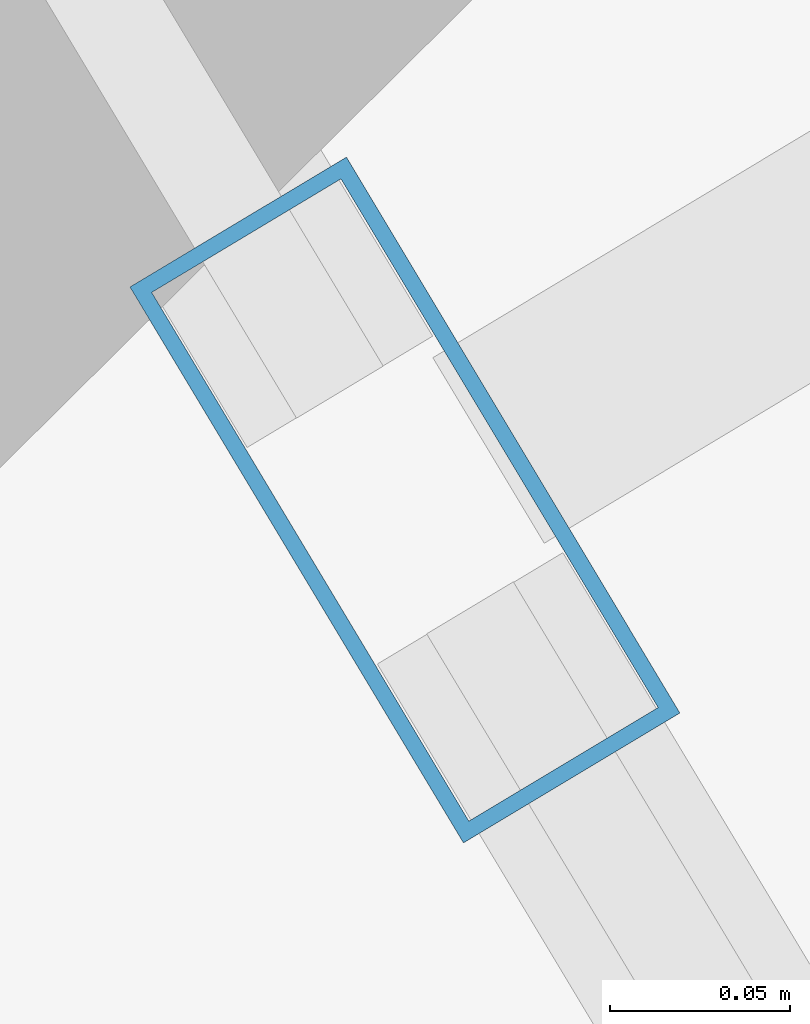
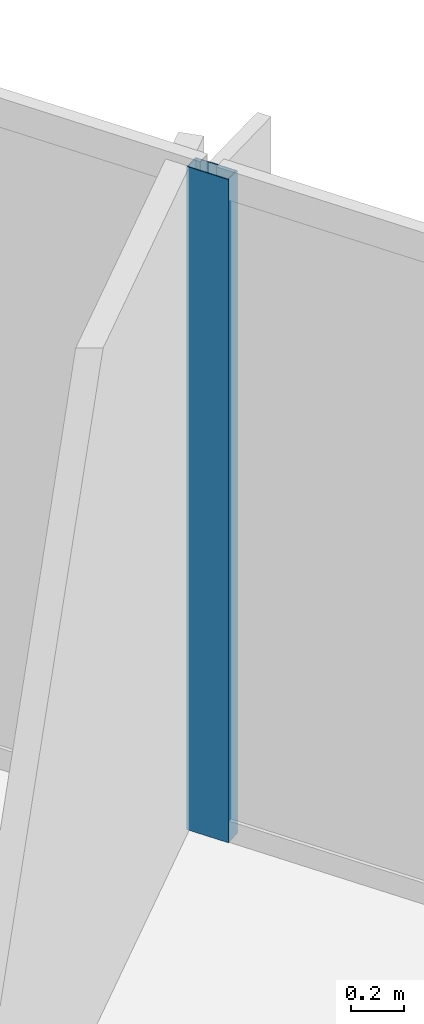
# One storey, part 19 of 35: 1 member, 1 element without a shape of its own.
"""IFC4 building model written with IfcOpenShell, lengths in metres."""

from ifc_helpers import new_model, si_unit, direction, frame, origin, origin_2d, place, context, subcontext, project, spatial, hollow_rectangle, extrude, material, layer, layer_set, material_profile, profile_set, type_object, element, aggregate, save


model = new_model("IFC4")

# Units and contexts
model_context = context("Model", 3, precision=1e-05, world=origin(), true_north=direction((0.0, 1.0)))
body_context = subcontext(model_context, "Body", "Model", "MODEL_VIEW")
ifc_project = project(units=[si_unit("LENGTHUNIT", "METRE"), si_unit("AREAUNIT", "SQUARE_METRE"), si_unit("VOLUMEUNIT", "CUBIC_METRE"), si_unit("PLANEANGLEUNIT", "RADIAN"), si_unit("MASSUNIT", "GRAM", prefix="KILO")], contexts=[model_context])

# Site, building, storey
site_placement = place(None, origin())
site = spatial("IfcSite", under=ifc_project, at=site_placement, CompositionType="ELEMENT")
building_placement = place(site_placement, origin())
building = spatial("IfcBuilding", under=site, at=building_placement, Name="Orvanel Arch Residences", CompositionType="ELEMENT")
storey_placement = place(building_placement, frame((0.0, 0.0, 26.89990234375)))
storey = spatial("IfcBuildingStorey", under=building, at=storey_placement, Name="L06", CompositionType="ELEMENT", Elevation=26.89990234375)

# Curtain wall, member
ifc_material = material(Name="Bronze-anodised aluminium AA6063-T6", Category="aluminium")
ifc_layer = layer(ifc_material, 0.179931640625)
ifc_layer_set = layer_set([ifc_layer], Name="Bronze-anodised aluminium AA6063-T6")
curtain_wall_type = type_object("IfcCurtainWallType", Name="CW2-LOW-SYS", PredefinedType="NOTDEFINED", material=ifc_layer_set)
curtain_wall_placement = place(storey_placement, origin())
curtain_wall = element("IfcCurtainWall", 1, at=curtain_wall_placement, inside=storey, type_object=curtain_wall_type, Name="L06 CW2-LOW-SYS Unitised Curtain Wall", PredefinedType="NOTDEFINED")
ifc_material_profile = material_profile(ifc_material, hollow_rectangle(XDim=0.070068359375, YDim=0.179931640625, WallThickness=0.00439453125, at=origin_2d()), Name="ALU180x70x4.5")
ifc_profile_set = profile_set([ifc_material_profile], Name="Bronze-anodised aluminium AA6063-T6")
member_type = type_object("IfcMemberType", Name="MUL-180x70", PredefinedType="MULLION", material=ifc_profile_set)
member_placement = place(storey_placement, frame((50.449951171875, 30.4794921875, 0.0), z_axis=(0.0, 0.0, 1.0), x_axis=(-0.857540386644, -0.514416645603, 0.0)))
member = element("IfcMember", 2, at=member_placement, type_object=member_type, Name="CW-S2 mullion 2", PredefinedType="MULLION", context=body_context, shape_type="SweptSolid", body=[
    extrude(hollow_rectangle(XDim=0.070068359375, YDim=0.179931640625, WallThickness=0.00439453125, at=origin_2d()), origin(), (0.0, 0.0, 1.0), 3.06005859375),
])
aggregate(curtain_wall, [member])

save(model, "model.ifc")
